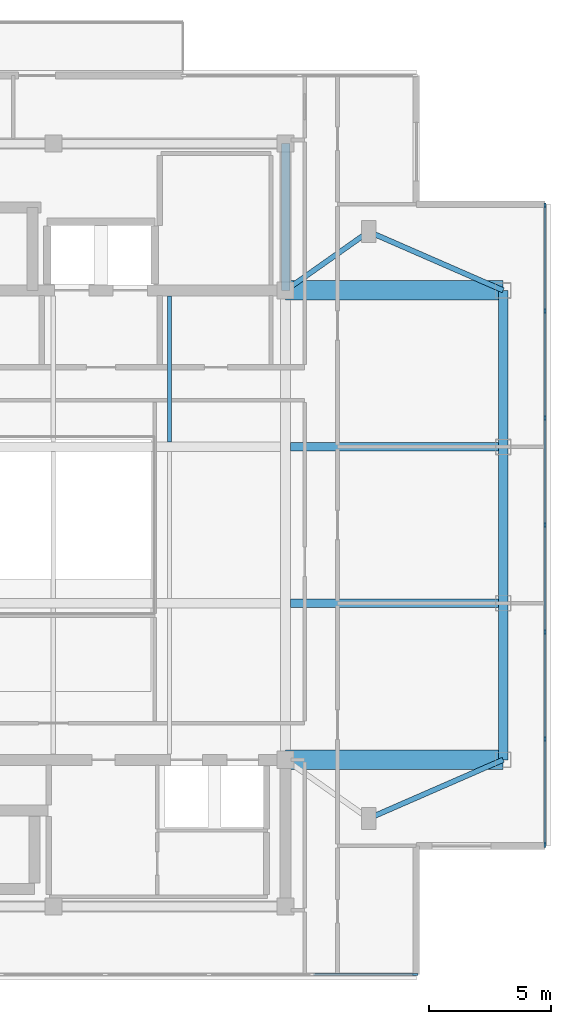
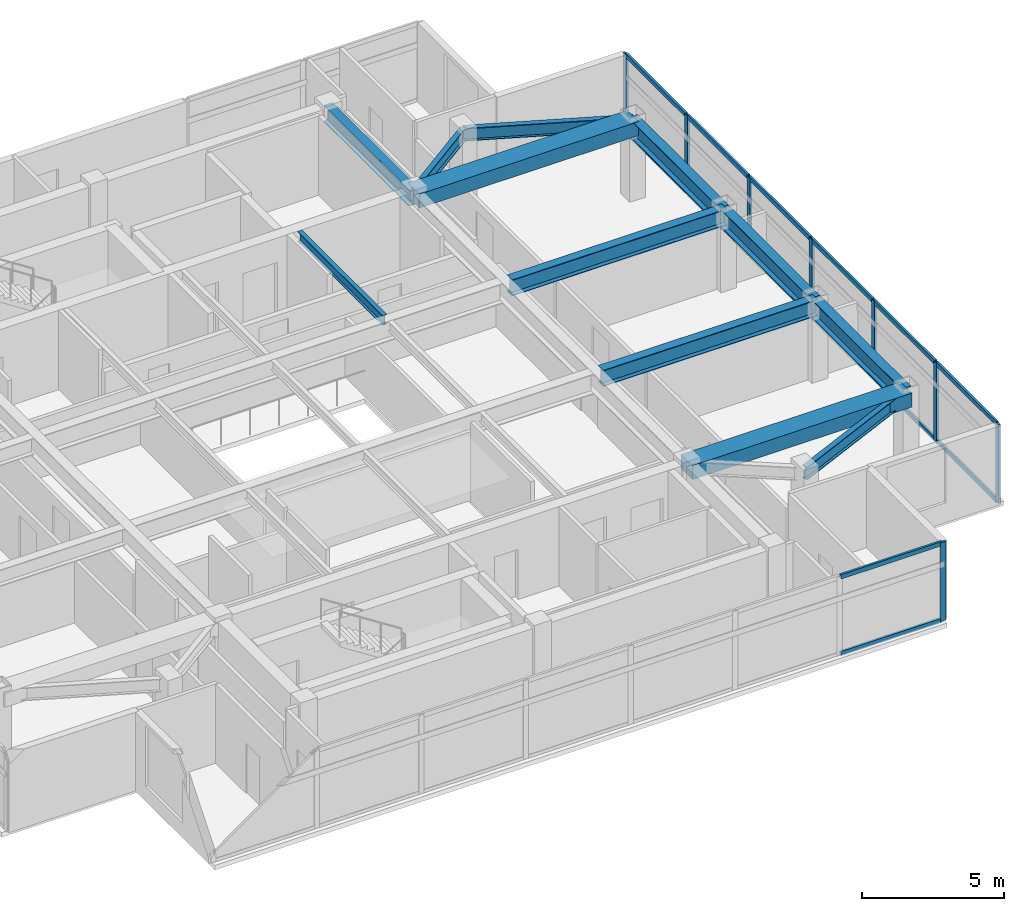
# One storey, part 3 of 12: 22 members, 12 beams, 2 elements without a shape of their own.
"""IFC4 building model written with IfcOpenShell, lengths in metres."""

from ifc_helpers import new_model, si_unit, direction, frame, origin, origin_2d, place, context, subcontext, project, spatial, rectangle, i_section, extrude, material, material_profile, profile_set, type_object, element, aggregate, save


model = new_model("IFC4")

# Units and contexts
model_context = context("Model", 3, precision=1e-05, world=origin(), true_north=direction((0.0, 1.0)))
body_context = subcontext(model_context, "Body", "Model", "MODEL_VIEW")
ifc_project = project(units=[si_unit("LENGTHUNIT", "METRE"), si_unit("AREAUNIT", "SQUARE_METRE"), si_unit("VOLUMEUNIT", "CUBIC_METRE"), si_unit("PLANEANGLEUNIT", "RADIAN"), si_unit("MASSUNIT", "GRAM", prefix="KILO")], contexts=[model_context])

# Site, building, storey
site_placement = place(None, origin())
site = spatial("IfcSite", under=ifc_project, at=site_placement, CompositionType="ELEMENT")
building_placement = place(site_placement, origin())
building = spatial("IfcBuilding", under=site, at=building_placement, Name="Mirazonda Arch Towers", CompositionType="ELEMENT")
storey_placement = place(building_placement, frame((0.0, 0.0, 252.699951171875)))
storey = spatial("IfcBuildingStorey", under=building, at=storey_placement, Name="L72", CompositionType="ELEMENT", Elevation=252.699951171875)

# Beams
ifc_material_1 = material(Name="Steel ASTM A992 Grade 50", Category="steel")
ifc_material_profile_1 = material_profile(ifc_material_1, i_section(OverallWidth=0.381103515625, OverallDepth=0.77294921875, WebThickness=0.0166015625, FlangeThickness=0.027099609375, at=origin_2d()), Name="W30X173")
ifc_profile_set_1 = profile_set([ifc_material_profile_1], Name="Steel ASTM A992 Grade 50")
beam_type_1 = type_object("IfcBeamType", Name="BM-EXT-W30X173", PredefinedType="USERDEFINED", material=ifc_profile_set_1)
beam_1_placement = place(storey_placement, frame((38.89990234375, 18.39990234375, 3.013427734375), z_axis=(0.0, 1.0, 0.0), x_axis=(-1.0, 0.0, 0.0)))
element("IfcBeam", 1, at=beam_1_placement, inside=storey, type_object=beam_type_1, Name="L72 Floor Beam BM-T1-L72-NS-E-18", ObjectType="GIRDER", PredefinedType="USERDEFINED", context=body_context, shape_type="SweptSolid", body=[
    extrude(i_section(OverallWidth=0.381103515625, OverallDepth=0.77294921875, WebThickness=0.0166015625, FlangeThickness=0.027099609375, at=origin_2d()), origin(), (0.0, 0.0, 1.0), 6.400146484375),
])
beam_2_placement = place(storey_placement, frame((38.89990234375, 24.800048828125, 3.013427734375), z_axis=(0.0, 1.0, 0.0), x_axis=(-1.0, 0.0, 0.0)))
element("IfcBeam", 2, at=beam_2_placement, inside=storey, type_object=beam_type_1, Name="L72 Floor Beam BM-T1-L72-NS-E-24", ObjectType="GIRDER", PredefinedType="USERDEFINED", context=body_context, shape_type="SweptSolid", body=[
    extrude(i_section(OverallWidth=0.381103515625, OverallDepth=0.77294921875, WebThickness=0.0166015625, FlangeThickness=0.027099609375, at=origin_2d()), origin(), (0.0, 0.0, 1.0), 6.39990234375),
])
beam_3_placement = place(storey_placement, frame((38.89990234375, 31.199951171875, 3.013427734375), z_axis=(0.0, 1.0, 0.0), x_axis=(-1.0, 0.0, 0.0)))
element("IfcBeam", 3, at=beam_3_placement, inside=storey, type_object=beam_type_1, Name="L72 Floor Beam BM-T1-L72-NS-E-31", ObjectType="GIRDER", PredefinedType="USERDEFINED", context=body_context, shape_type="SweptSolid", body=[
    extrude(i_section(OverallWidth=0.381103515625, OverallDepth=0.77294921875, WebThickness=0.0166015625, FlangeThickness=0.027099609375, at=origin_2d()), origin(), (0.0, 0.0, 1.0), 6.400146484375),
])
ifc_material_profile_2 = material_profile(ifc_material_1, i_section(OverallWidth=0.180908203125, OverallDepth=0.4169921875, WebThickness=0.010986328125, FlangeThickness=0.018310546875, at=origin_2d()), Name="W16X57")
ifc_profile_set_2 = profile_set([ifc_material_profile_2], Name="Steel ASTM A992 Grade 50")
beam_type_2 = type_object("IfcBeamType", Name="BM-INT-W16X57", PredefinedType="JOIST", material=ifc_profile_set_2)
beam_4_placement = place(storey_placement, frame((25.25, 31.39599609375, 3.191650390625), z_axis=(0.0, 1.0, 0.0), x_axis=(-1.0, 0.0, 0.0)))
element("IfcBeam", 4, at=beam_4_placement, inside=storey, type_object=beam_type_2, Name="L72 Floor Beam BM-T1-L72-J-252-31", PredefinedType="JOIST", context=body_context, shape_type="SweptSolid", body=[
    extrude(i_section(OverallWidth=0.180908203125, OverallDepth=0.4169921875, WebThickness=0.010986328125, FlangeThickness=0.018310546875, at=origin_2d()), origin(), (0.0, 0.0, 1.0), 5.964111328125),
])
ifc_material_profile_3 = material_profile(ifc_material_1, i_section(OverallWidth=0.214111328125, OverallDepth=0.549072265625, WebThickness=0.0146484375, FlangeThickness=0.023681640625, at=origin_2d()), Name="W21X93")
ifc_profile_set_3 = profile_set([ifc_material_profile_3], Name="Steel ASTM A992 Grade 50")
beam_type_3 = type_object("IfcBeamType", Name="BM-INT-W21X93", PredefinedType="BEAM", material=ifc_profile_set_3)
beam_5_placement = place(storey_placement, frame((33.39990234375, 16.0, 3.12548828125), z_axis=(0.916545343703, 0.399930785183, 0.0), x_axis=(-0.399930785183, 0.916545343703, 0.0)))
element("IfcBeam", 5, at=beam_5_placement, inside=storey, type_object=beam_type_3, Name="L72 Floor Beam BM-T1-L72-PL-SE2", PredefinedType="BEAM", context=body_context, shape_type="SweptSolid", body=[
    extrude(i_section(OverallWidth=0.214111328125, OverallDepth=0.549072265625, WebThickness=0.0146484375, FlangeThickness=0.023681640625, at=origin_2d()), origin(), (0.0, 0.0, 1.0), 6.000732421875),
])
beam_6_placement = place(storey_placement, frame((33.39990234375, 40.0, 3.12548828125), z_axis=(-0.816971114901, -0.576678591087, 0.0), x_axis=(0.576678591087, -0.816971114901, 0.0)))
element("IfcBeam", 6, at=beam_6_placement, inside=storey, type_object=beam_type_3, Name="L72 Floor Beam BM-T1-L72-PL-NE1", PredefinedType="BEAM", context=body_context, shape_type="SweptSolid", body=[
    extrude(i_section(OverallWidth=0.214111328125, OverallDepth=0.549072265625, WebThickness=0.0146484375, FlangeThickness=0.023681640625, at=origin_2d()), origin(), (0.0, 0.0, 1.0), 4.16162109375),
])
beam_7_placement = place(storey_placement, frame((33.39990234375, 40.0, 3.12548828125), z_axis=(0.916545343703, -0.399930785183, 0.0), x_axis=(0.399930785183, 0.916545343703, 0.0)))
element("IfcBeam", 7, at=beam_7_placement, inside=storey, type_object=beam_type_3, Name="L72 Floor Beam BM-T1-L72-PL-NE2", PredefinedType="BEAM", context=body_context, shape_type="SweptSolid", body=[
    extrude(i_section(OverallWidth=0.214111328125, OverallDepth=0.549072265625, WebThickness=0.0146484375, FlangeThickness=0.023681640625, at=origin_2d()), origin(), (0.0, 0.0, 1.0), 6.000732421875),
])
ifc_material_profile_4 = material_profile(ifc_material_1, i_section(OverallWidth=0.35498046875, OverallDepth=0.696044921875, WebThickness=0.015380859375, FlangeThickness=0.02490234375, at=origin_2d()), Name="W27X146")
ifc_profile_set_4 = profile_set([ifc_material_profile_4], Name="Steel ASTM A992 Grade 50")
beam_type_4 = type_object("IfcBeamType", Name="BM-INT-W27X146", PredefinedType="BEAM", material=ifc_profile_set_4)
for number, where, z_axis, x_axis, name in (
    (8, (30.199951171875, 24.800048828125, 3.052001953125), (1.0, 0.0, 0.0), (0.0, 1.0, 0.0), "L72 Floor Beam BM-T1-L72-GE2"),
    (9, (30.199951171875, 31.199951171875, 3.052001953125), (1.0, 0.0, 0.0), (0.0, 1.0, 0.0), "L72 Floor Beam BM-T1-L72-GE3"),
):
    element("IfcBeam", number, at=place(storey_placement, frame(where, z_axis=z_axis, x_axis=x_axis)), inside=storey, type_object=beam_type_4, Name=name, PredefinedType="BEAM", context=body_context, shape_type="SweptSolid", body=[
        extrude(i_section(OverallWidth=0.35498046875, OverallDepth=0.696044921875, WebThickness=0.015380859375, FlangeThickness=0.02490234375, at=origin_2d()), origin(), (0.0, 0.0, 1.0), 8.699951171875),
    ])
beam_8_placement = place(storey_placement, frame((30.0, 37.60009765625, 3.052001953125), z_axis=(0.0, 1.0, 0.0), x_axis=(-1.0, 0.0, 0.0)))
element("IfcBeam", 10, at=beam_8_placement, inside=storey, type_object=beam_type_4, Name="L72 Floor Beam BM-T1-L72-CNE", PredefinedType="BEAM", context=body_context, shape_type="SweptSolid", body=[
    extrude(i_section(OverallWidth=0.35498046875, OverallDepth=0.696044921875, WebThickness=0.015380859375, FlangeThickness=0.02490234375, at=origin_2d()), origin(), (0.0, 0.0, 1.0), 6.0),
])
ifc_material_2 = material(Name="Concrete C60/75", Category="concrete")
ifc_material_profile_5 = material_profile(ifc_material_2, rectangle(XDim=0.800048828125, YDim=0.60009765625, at=origin_2d()), Name="RCCB800x600")
ifc_profile_set_5 = profile_set([ifc_material_profile_5], Name="Concrete C60/75")
beam_type_5 = type_object("IfcBeamType", Name="CB-INT-RCCB800x600", PredefinedType="SPANDREL", material=ifc_profile_set_5)
for number, where, z_axis, x_axis, name in (
    (11, (30.0, 37.60009765625, 3.10009765625), (1.0, 0.0, 0.0), (0.0, 1.0, 0.0), "L72 Floor Beam CBC-T1-L72-NE"),
    (12, (30.0, 18.39990234375, 3.10009765625), (1.0, 0.0, 0.0), (0.0, 1.0, 0.0), "L72 Floor Beam CBC-T1-L72-SE"),
):
    element("IfcBeam", number, at=place(storey_placement, frame(where, z_axis=z_axis, x_axis=x_axis)), inside=storey, type_object=beam_type_5, Name=name, PredefinedType="SPANDREL", context=body_context, shape_type="SweptSolid", body=[
        extrude(rectangle(XDim=0.800048828125, YDim=0.60009765625, at=origin_2d()), origin(), (0.0, 0.0, 1.0), 8.89990234375),
    ])

# Curtain wall, member
ifc_material_3 = material(Name="Anodised Aluminium and Low-E Glass", Category="aluminium")
curtain_wall_type = type_object("IfcCurtainWallType", Name="CW-OBS-LANTERN", PredefinedType="NOTDEFINED", material=ifc_material_3)
curtain_wall_1_placement = place(storey_placement, origin())
curtain_wall_1 = element("IfcCurtainWall", 13, at=curtain_wall_1_placement, inside=storey, type_object=curtain_wall_type, Name="L72 T1 S Facade CW-L72-T1-S", PredefinedType="NOTDEFINED")
ifc_material_4 = material(Name="Anodised Aluminium Alloy", Category="aluminium")
ifc_material_profile_6 = material_profile(ifc_material_4, rectangle(XDim=0.090087890625, YDim=0.2099609375, at=origin_2d()), Name="ALU-MULL-90x210")
ifc_profile_set_6 = profile_set([ifc_material_profile_6], Name="Anodised Aluminium Alloy")
member_type_1 = type_object("IfcMemberType", Name="MULL-CW-OBS-LANTERN", PredefinedType="MULLION", material=ifc_profile_set_6)
member_1_placement = place(storey_placement, frame((35.300048828125, 9.612060546875, 0.0), z_axis=(0.0, 0.0, 1.0), x_axis=(0.0, -1.0, 0.0)))
member_1 = element("IfcMember", 14, at=member_1_placement, type_object=member_type_1, Name="CW-110 mullion 1", PredefinedType="MULLION", context=body_context, shape_type="SweptSolid", body=[
    extrude(rectangle(XDim=0.090087890625, YDim=0.2099609375, at=origin_2d()), origin(), (0.0, 0.0, 1.0), 3.380126953125),
])

# Curtain wall, members
curtain_wall_2_placement = place(storey_placement, origin())
curtain_wall_2 = element("IfcCurtainWall", 15, at=curtain_wall_2_placement, inside=storey, type_object=curtain_wall_type, Name="L72 T1 E Facade CW-L72-T1-E", PredefinedType="NOTDEFINED")
member_2_placement = place(storey_placement, frame((40.610107421875, 14.922119140625, 0.0), z_axis=(0.0, 0.0, 1.0), x_axis=(-1.0, 0.0, 0.0)))
member_2 = element("IfcMember", 16, at=member_2_placement, type_object=member_type_1, Name="CW-110 mullion 1", PredefinedType="MULLION", context=body_context, shape_type="SweptSolid", body=[
    extrude(rectangle(XDim=0.090087890625, YDim=0.2099609375, at=origin_2d()), origin(), (0.0, 0.0, 1.0), 3.380126953125),
])
member_3_placement = place(storey_placement, frame((40.610107421875, 19.251220703125, 0.0), z_axis=(0.0, 0.0, 1.0), x_axis=(-1.0, 0.0, 0.0)))
member_3 = element("IfcMember", 17, at=member_3_placement, type_object=member_type_1, Name="CW-110 mullion 2", PredefinedType="MULLION", context=body_context, shape_type="SweptSolid", body=[
    extrude(rectangle(XDim=0.090087890625, YDim=0.2099609375, at=origin_2d()), origin(), (0.0, 0.0, 1.0), 3.380126953125),
])
member_4_placement = place(storey_placement, frame((40.610107421875, 23.625732421875, 0.0), z_axis=(0.0, 0.0, 1.0), x_axis=(-1.0, 0.0, 0.0)))
member_4 = element("IfcMember", 18, at=member_4_placement, type_object=member_type_1, Name="CW-110 mullion 3", PredefinedType="MULLION", context=body_context, shape_type="SweptSolid", body=[
    extrude(rectangle(XDim=0.090087890625, YDim=0.2099609375, at=origin_2d()), origin(), (0.0, 0.0, 1.0), 3.380126953125),
])
member_5_placement = place(storey_placement, frame((40.610107421875, 28.0, 0.0), z_axis=(0.0, 0.0, 1.0), x_axis=(-1.0, 0.0, 0.0)))
member_5 = element("IfcMember", 19, at=member_5_placement, type_object=member_type_1, Name="CW-110 mullion 4", PredefinedType="MULLION", context=body_context, shape_type="SweptSolid", body=[
    extrude(rectangle(XDim=0.090087890625, YDim=0.2099609375, at=origin_2d()), origin(), (0.0, 0.0, 1.0), 3.380126953125),
])
member_6_placement = place(storey_placement, frame((40.610107421875, 32.374267578125, 0.0), z_axis=(0.0, 0.0, 1.0), x_axis=(-1.0, 0.0, 0.0)))
member_6 = element("IfcMember", 20, at=member_6_placement, type_object=member_type_1, Name="CW-110 mullion 5", PredefinedType="MULLION", context=body_context, shape_type="SweptSolid", body=[
    extrude(rectangle(XDim=0.090087890625, YDim=0.2099609375, at=origin_2d()), origin(), (0.0, 0.0, 1.0), 3.380126953125),
])
member_7_placement = place(storey_placement, frame((40.610107421875, 36.748779296875, 0.0), z_axis=(0.0, 0.0, 1.0), x_axis=(-1.0, 0.0, 0.0)))
member_7 = element("IfcMember", 21, at=member_7_placement, type_object=member_type_1, Name="CW-110 mullion 6", PredefinedType="MULLION", context=body_context, shape_type="SweptSolid", body=[
    extrude(rectangle(XDim=0.090087890625, YDim=0.2099609375, at=origin_2d()), origin(), (0.0, 0.0, 1.0), 3.380126953125),
])
member_8_placement = place(storey_placement, frame((40.610107421875, 41.077880859375, 0.0), z_axis=(0.0, 0.0, 1.0), x_axis=(-1.0, 0.0, 0.0)))
member_8 = element("IfcMember", 22, at=member_8_placement, type_object=member_type_1, Name="CW-110 mullion 7", PredefinedType="MULLION", context=body_context, shape_type="SweptSolid", body=[
    extrude(rectangle(XDim=0.090087890625, YDim=0.2099609375, at=origin_2d()), origin(), (0.0, 0.0, 1.0), 3.380126953125),
])

# Member
ifc_material_profile_7 = material_profile(ifc_material_4, rectangle(XDim=0.090087890625, YDim=0.18994140625, at=origin_2d()), Name="ALU-TRAN-90x190")
ifc_profile_set_7 = profile_set([ifc_material_profile_7], Name="Anodised Aluminium Alloy")
member_type_2 = type_object("IfcMemberType", Name="TRAN-CW-OBS-LANTERN", PredefinedType="USERDEFINED", material=ifc_profile_set_7)
member_9_placement = place(storey_placement, frame((35.2548828125, 9.612060546875, 0.045166015625), z_axis=(-1.0, 0.0, 0.0), x_axis=(0.0, -1.0, 0.0)))
member_9 = element("IfcMember", 23, at=member_9_placement, type_object=member_type_2, Name="CW-110 transom 1.1", ObjectType="TRANSOM", PredefinedType="USERDEFINED", context=body_context, shape_type="SweptSolid", body=[
    extrude(rectangle(XDim=0.090087890625, YDim=0.18994140625, at=origin_2d()), origin(), (0.0, 0.0, 1.0), 4.106201171875),
])

member_10_placement = place(storey_placement, frame((35.2548828125, 9.612060546875, 3.3349609375), z_axis=(-1.0, 0.0, 0.0), x_axis=(0.0, -1.0, 0.0)))
member_10 = element("IfcMember", 24, at=member_10_placement, type_object=member_type_2, Name="CW-110 transom 1.2", ObjectType="TRANSOM", PredefinedType="USERDEFINED", context=body_context, shape_type="SweptSolid", body=[
    extrude(rectangle(XDim=0.090087890625, YDim=0.18994140625, at=origin_2d()), origin(), (0.0, 0.0, 1.0), 4.106201171875),
])

aggregate(curtain_wall_1, [member_1, member_9, member_10])

member_11_placement = place(storey_placement, frame((40.610107421875, 14.967041015625, 0.045166015625), z_axis=(0.0, 1.0, 0.0), x_axis=(-1.0, 0.0, 0.0)))
member_11 = element("IfcMember", 25, at=member_11_placement, type_object=member_type_2, Name="CW-110 transom 1.1", ObjectType="TRANSOM", PredefinedType="USERDEFINED", context=body_context, shape_type="SweptSolid", body=[
    extrude(rectangle(XDim=0.090087890625, YDim=0.18994140625, at=origin_2d()), origin(), (0.0, 0.0, 1.0), 4.2392578125),
])

member_12_placement = place(storey_placement, frame((40.610107421875, 14.967041015625, 3.3349609375), z_axis=(0.0, 1.0, 0.0), x_axis=(-1.0, 0.0, 0.0)))
member_12 = element("IfcMember", 26, at=member_12_placement, type_object=member_type_2, Name="CW-110 transom 1.2", ObjectType="TRANSOM", PredefinedType="USERDEFINED", context=body_context, shape_type="SweptSolid", body=[
    extrude(rectangle(XDim=0.090087890625, YDim=0.18994140625, at=origin_2d()), origin(), (0.0, 0.0, 1.0), 4.2392578125),
])

member_13_placement = place(storey_placement, frame((40.610107421875, 19.29638671875, 0.045166015625), z_axis=(0.0, 1.0, 0.0), x_axis=(-1.0, 0.0, 0.0)))
member_13 = element("IfcMember", 27, at=member_13_placement, type_object=member_type_2, Name="CW-110 transom 2.1", ObjectType="TRANSOM", PredefinedType="USERDEFINED", context=body_context, shape_type="SweptSolid", body=[
    extrude(rectangle(XDim=0.090087890625, YDim=0.18994140625, at=origin_2d()), origin(), (0.0, 0.0, 1.0), 4.2841796875),
])

member_14_placement = place(storey_placement, frame((40.610107421875, 19.29638671875, 3.3349609375), z_axis=(0.0, 1.0, 0.0), x_axis=(-1.0, 0.0, 0.0)))
member_14 = element("IfcMember", 28, at=member_14_placement, type_object=member_type_2, Name="CW-110 transom 2.2", ObjectType="TRANSOM", PredefinedType="USERDEFINED", context=body_context, shape_type="SweptSolid", body=[
    extrude(rectangle(XDim=0.090087890625, YDim=0.18994140625, at=origin_2d()), origin(), (0.0, 0.0, 1.0), 4.2841796875),
])

member_15_placement = place(storey_placement, frame((40.610107421875, 23.670654296875, 0.045166015625), z_axis=(0.0, 1.0, 0.0), x_axis=(-1.0, 0.0, 0.0)))
member_15 = element("IfcMember", 29, at=member_15_placement, type_object=member_type_2, Name="CW-110 transom 3.1", ObjectType="TRANSOM", PredefinedType="USERDEFINED", context=body_context, shape_type="SweptSolid", body=[
    extrude(rectangle(XDim=0.090087890625, YDim=0.18994140625, at=origin_2d()), origin(), (0.0, 0.0, 1.0), 4.284423828125),
])

member_16_placement = place(storey_placement, frame((40.610107421875, 23.670654296875, 3.3349609375), z_axis=(0.0, 1.0, 0.0), x_axis=(-1.0, 0.0, 0.0)))
member_16 = element("IfcMember", 30, at=member_16_placement, type_object=member_type_2, Name="CW-110 transom 3.2", ObjectType="TRANSOM", PredefinedType="USERDEFINED", context=body_context, shape_type="SweptSolid", body=[
    extrude(rectangle(XDim=0.090087890625, YDim=0.18994140625, at=origin_2d()), origin(), (0.0, 0.0, 1.0), 4.284423828125),
])

member_17_placement = place(storey_placement, frame((40.610107421875, 28.044921875, 0.045166015625), z_axis=(0.0, 1.0, 0.0), x_axis=(-1.0, 0.0, 0.0)))
member_17 = element("IfcMember", 31, at=member_17_placement, type_object=member_type_2, Name="CW-110 transom 4.1", ObjectType="TRANSOM", PredefinedType="USERDEFINED", context=body_context, shape_type="SweptSolid", body=[
    extrude(rectangle(XDim=0.090087890625, YDim=0.18994140625, at=origin_2d()), origin(), (0.0, 0.0, 1.0), 4.284423828125),
])

member_18_placement = place(storey_placement, frame((40.610107421875, 28.044921875, 3.3349609375), z_axis=(0.0, 1.0, 0.0), x_axis=(-1.0, 0.0, 0.0)))
member_18 = element("IfcMember", 32, at=member_18_placement, type_object=member_type_2, Name="CW-110 transom 4.2", ObjectType="TRANSOM", PredefinedType="USERDEFINED", context=body_context, shape_type="SweptSolid", body=[
    extrude(rectangle(XDim=0.090087890625, YDim=0.18994140625, at=origin_2d()), origin(), (0.0, 0.0, 1.0), 4.284423828125),
])

member_19_placement = place(storey_placement, frame((40.610107421875, 32.41943359375, 0.045166015625), z_axis=(0.0, 1.0, 0.0), x_axis=(-1.0, 0.0, 0.0)))
member_19 = element("IfcMember", 33, at=member_19_placement, type_object=member_type_2, Name="CW-110 transom 5.1", ObjectType="TRANSOM", PredefinedType="USERDEFINED", context=body_context, shape_type="SweptSolid", body=[
    extrude(rectangle(XDim=0.090087890625, YDim=0.18994140625, at=origin_2d()), origin(), (0.0, 0.0, 1.0), 4.2841796875),
])

member_20_placement = place(storey_placement, frame((40.610107421875, 32.41943359375, 3.3349609375), z_axis=(0.0, 1.0, 0.0), x_axis=(-1.0, 0.0, 0.0)))
member_20 = element("IfcMember", 34, at=member_20_placement, type_object=member_type_2, Name="CW-110 transom 5.2", ObjectType="TRANSOM", PredefinedType="USERDEFINED", context=body_context, shape_type="SweptSolid", body=[
    extrude(rectangle(XDim=0.090087890625, YDim=0.18994140625, at=origin_2d()), origin(), (0.0, 0.0, 1.0), 4.2841796875),
])

member_21_placement = place(storey_placement, frame((40.610107421875, 36.793701171875, 0.045166015625), z_axis=(0.0, 1.0, 0.0), x_axis=(-1.0, 0.0, 0.0)))
member_21 = element("IfcMember", 35, at=member_21_placement, type_object=member_type_2, Name="CW-110 transom 6.1", ObjectType="TRANSOM", PredefinedType="USERDEFINED", context=body_context, shape_type="SweptSolid", body=[
    extrude(rectangle(XDim=0.090087890625, YDim=0.18994140625, at=origin_2d()), origin(), (0.0, 0.0, 1.0), 4.2392578125),
])

member_22_placement = place(storey_placement, frame((40.610107421875, 36.793701171875, 3.3349609375), z_axis=(0.0, 1.0, 0.0), x_axis=(-1.0, 0.0, 0.0)))
member_22 = element("IfcMember", 36, at=member_22_placement, type_object=member_type_2, Name="CW-110 transom 6.2", ObjectType="TRANSOM", PredefinedType="USERDEFINED", context=body_context, shape_type="SweptSolid", body=[
    extrude(rectangle(XDim=0.090087890625, YDim=0.18994140625, at=origin_2d()), origin(), (0.0, 0.0, 1.0), 4.2392578125),
])

aggregate(curtain_wall_2, [member_2, member_3, member_4, member_5, member_6, member_7, member_8, member_11, member_12, member_13, member_14, member_15, member_16, member_17, member_18, member_19, member_20, member_21, member_22])

save(model, "model.ifc")
